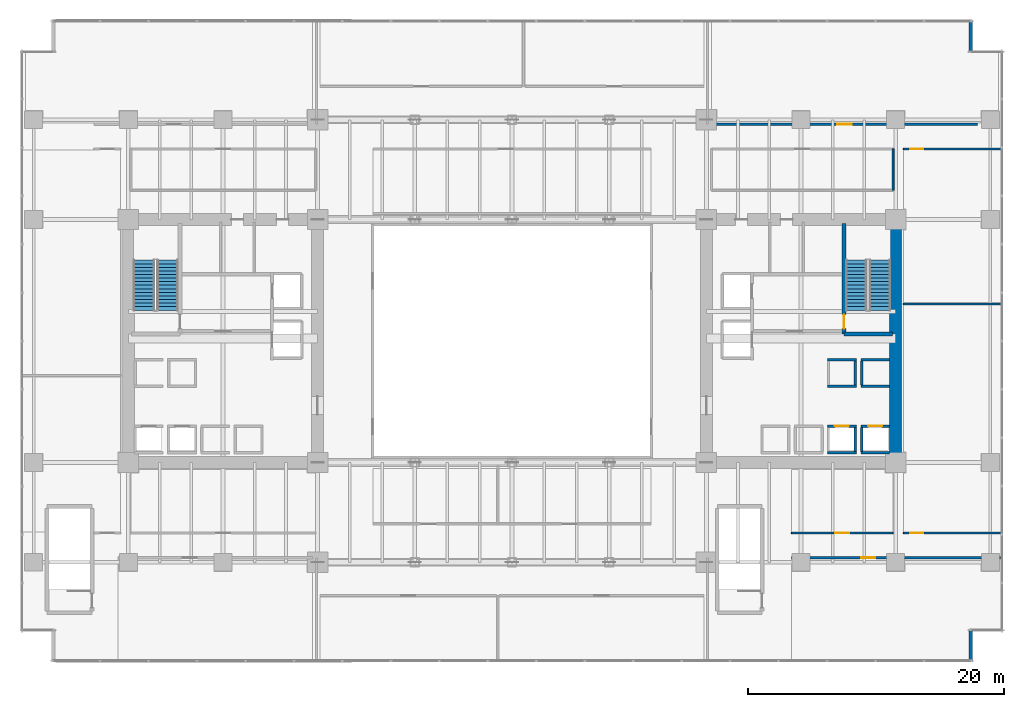
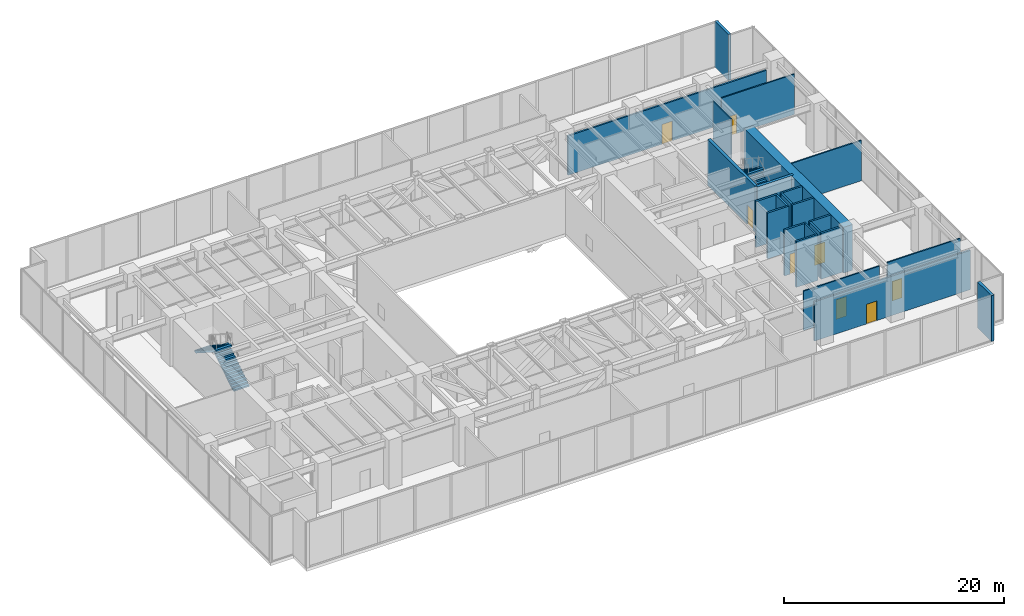
# One storey, part 31 of 35: 24 walls, 8 doors, 4 stair flights, 8 openings, 2 elements without a shape of their own.
"""IFC4 building model written with IfcOpenShell, lengths in metres."""

import ifcopenshell
import ifcopenshell.guid

model = None  # the IFC model being written
_history = None  # IfcOwnerHistory: only IFC2X3 demands one
_inside = {}  # id of a spatial element -> (the spatial element, [elements in it])
_under = {}  # id of a project, library or spatial element -> (it, [spatial elements below it])
_declared = {}  # id of a project -> (the project, [libraries it declares])
_typed = {}  # id of a type object -> (the type object, [elements of that type])
_made_of = {}  # id of a material, layer set ... -> (it, [elements and type objects made of it])


def new_model(schema):
    """Start an empty IFC model of exactly this schema.

    Asked for "IFC4X3", IfcOpenShell would pick the latest addendum, in which some entities
    have other attributes; the version numbers below select the first issue.
    IFC2X3 requires an IfcOwnerHistory on every rooted entity: one is made here for all.
    """
    global model, _history
    if schema == "IFC4X3":
        model = ifcopenshell.file(schema_version=(4, 3, 0, 0))
    else:
        model = ifcopenshell.file(schema=schema)
    _inside.clear()
    _under.clear()
    _declared.clear()
    _typed.clear()
    _made_of.clear()
    _history = None
    if model.schema == "IFC2X3":
        org = make("IfcOrganization", Name="unknown")
        user = make(
            "IfcPersonAndOrganization",
            ThePerson=make("IfcPerson", FamilyName="unknown"),
            TheOrganization=org,
        )
        app = make(
            "IfcApplication",
            ApplicationDeveloper=org,
            Version="unknown",
            ApplicationFullName="unknown",
            ApplicationIdentifier="unknown",
        )
        _history = make(
            "IfcOwnerHistory",
            OwningUser=user,
            OwningApplication=app,
            ChangeAction="ADDED",
            CreationDate=0,
        )
    return model


def make(cls, **values):
    """One entity of the class cls with the attributes given. An attribute that is None is left unset."""
    return model.create_entity(
        cls, **{name: value for name, value in values.items() if value is not None}
    )


def rooted(cls, **values):
    """An entity with a GlobalId (a new one), such as an element, a storey or a relation."""
    return make(cls, GlobalId=ifcopenshell.guid.new(), OwnerHistory=_history, **values)


def si_unit(unit_type, name, prefix=None):
    """IfcSIUnit, for example si_unit("LENGTHUNIT", "METRE", prefix="MILLI")."""
    return make("IfcSIUnit", UnitType=unit_type, Prefix=prefix, Name=name)


def assignment(units):
    """IfcUnitAssignment: the units of a project."""
    return None if units is None else make("IfcUnitAssignment", Units=units)


def point(xyz):
    """IfcCartesianPoint."""
    return None if xyz is None else make("IfcCartesianPoint", Coordinates=xyz)


def direction(xyz):
    """IfcDirection."""
    return None if xyz is None else make("IfcDirection", DirectionRatios=xyz)


def frame(location, z_axis=None, x_axis=None):
    """IfcAxis2Placement3D, a coordinate frame: its origin and axes. An axis left out is left unset."""
    return make(
        "IfcAxis2Placement3D",
        Location=point(location),
        Axis=direction(z_axis),
        RefDirection=direction(x_axis),
    )


def frame_2d(location, x_axis=None):
    """IfcAxis2Placement2D, a coordinate frame in the plane: its origin and x axis."""
    return make(
        "IfcAxis2Placement2D", Location=point(location), RefDirection=direction(x_axis)
    )


def origin():
    """The frame at (0, 0, 0) with its axes left unset."""
    return frame((0.0, 0.0, 0.0))


def place(relative_to, where):
    """IfcLocalPlacement: puts the frame where relative to a parent placement (None: the world)."""
    return make(
        "IfcLocalPlacement", PlacementRelTo=relative_to, RelativePlacement=where
    )


def context(
    kind, dimensions, precision=None, world=None, true_north=None, identifier=None
):
    """IfcGeometricRepresentationContext, for example the 3D "Model" context."""
    return make(
        "IfcGeometricRepresentationContext",
        ContextIdentifier=identifier,
        ContextType=kind,
        CoordinateSpaceDimension=dimensions,
        Precision=precision,
        WorldCoordinateSystem=world,
        TrueNorth=true_north,
    )


def subcontext(parent, identifier, kind, view, scale=None):
    """IfcGeometricRepresentationSubContext, for example "Body" below "Model"."""
    return make(
        "IfcGeometricRepresentationSubContext",
        ContextIdentifier=identifier,
        ContextType=kind,
        ParentContext=parent,
        TargetScale=scale,
        TargetView=view,
    )


def project(units=None, contexts=None):
    """IfcProject with its units and contexts."""
    return rooted(
        "IfcProject",
        Name="project",
        RepresentationContexts=contexts,
        UnitsInContext=assignment(units),
    )


def spatial(cls, under=None, at=None, **own):
    """A site, building, storey or space (cls), placed at a placement, below another one or the project."""
    s = rooted(cls, ObjectPlacement=at, **own)
    if under is not None:
        _under.setdefault(under.id(), (under, []))[1].append(s)
    return s


def polyline(points):
    """IfcPolyline through the points."""
    return make("IfcPolyline", Points=[point(p) for p in points])


def profile(cls, at=None, kind="AREA", **sizes):
    """A parametric profile (cls). Its sizes go by their IFC names, for example OverallWidth=200.0."""
    return make(cls, ProfileType=kind, Position=at, **sizes)


def rectangle(**sizes):
    """IfcRectangleProfileDef."""
    return profile("IfcRectangleProfileDef", **sizes)


def outline(outer, holes=None, kind="AREA"):
    """IfcArbitraryClosedProfileDef: a profile drawn as a closed curve; with holes, ...WithVoids."""
    if holes is None:
        return make("IfcArbitraryClosedProfileDef", ProfileType=kind, OuterCurve=outer)
    return make(
        "IfcArbitraryProfileDefWithVoids",
        ProfileType=kind,
        OuterCurve=outer,
        InnerCurves=holes,
    )


def extrude(swept, where, along, depth):
    """IfcExtrudedAreaSolid: the profile swept, set in the frame where, extruded along a direction by depth."""
    return make(
        "IfcExtrudedAreaSolid",
        SweptArea=swept,
        Position=where,
        ExtrudedDirection=direction(along),
        Depth=depth,
    )


def shape(context_of_items, identifier, shape_type, items):
    """IfcShapeRepresentation: the items that make up one representation, for example the "Body"."""
    return make(
        "IfcShapeRepresentation",
        ContextOfItems=context_of_items,
        RepresentationIdentifier=identifier,
        RepresentationType=shape_type,
        Items=items,
    )


def source(mapping_origin, context_of_items, identifier, shape_type, items):
    """IfcRepresentationMap: a shape defined once, which mapped items show again and again."""
    return make(
        "IfcRepresentationMap",
        MappingOrigin=mapping_origin,
        MappedRepresentation=shape(context_of_items, identifier, shape_type, items),
    )


def transform(
    local_origin,
    x_axis=None,
    y_axis=None,
    z_axis=None,
    scale=None,
    scale2=None,
    scale3=None,
    uniform=True,
):
    """IfcCartesianTransformationOperator3D, or its non-uniform kind. x_axis, y_axis, z_axis: its Axis1, 2, 3."""
    if uniform:
        return make(
            "IfcCartesianTransformationOperator3D",
            Axis1=direction(x_axis),
            Axis2=direction(y_axis),
            LocalOrigin=point(local_origin),
            Scale=scale,
            Axis3=direction(z_axis),
        )
    return make(
        "IfcCartesianTransformationOperator3DnonUniform",
        Axis1=direction(x_axis),
        Axis2=direction(y_axis),
        LocalOrigin=point(local_origin),
        Scale=scale,
        Axis3=direction(z_axis),
        Scale2=scale2,
        Scale3=scale3,
    )


def mapped(mapping_source, mapping_target):
    """IfcMappedItem: shows the shape of a source again, moved by a transform."""
    return make(
        "IfcMappedItem", MappingSource=mapping_source, MappingTarget=mapping_target
    )


def material(Name=None, Category=None):
    """IfcMaterial."""
    return make("IfcMaterial", Name=Name, Category=Category)


def layer(
    of_material, thickness, ventilated=None, Name=None, Category=None, Priority=None
):
    """IfcMaterialLayer: one layer of a wall or slab, of a material (None: an air gap)."""
    return make(
        "IfcMaterialLayer",
        Material=of_material,
        LayerThickness=thickness,
        IsVentilated=ventilated,
        Name=Name,
        Category=Category,
        Priority=Priority,
    )


def layer_set(layers, Name=None):
    """IfcMaterialLayerSet."""
    return make("IfcMaterialLayerSet", MaterialLayers=layers, LayerSetName=Name)


def made_of(thing, what):
    """Note that an element or type object is made of a material, layer set ...; save() writes the relation."""
    if what is not None:
        _made_of.setdefault(what.id(), (what, []))[1].append(thing)
    return thing


def type_object(cls, material=None, **own):
    """A type object (cls), such as IfcWallType, which elements share."""
    return made_of(rooted(cls, **own), material)


def type_shapes(of_type, sources):
    """Give a type object the sources (RepresentationMaps) that its elements show as mapped items."""
    of_type.RepresentationMaps = sources


def element(
    cls,
    number,
    at=None,
    inside=None,
    cuts=None,
    type_object=None,
    material=None,
    context=None,
    identifier="Body",
    shape_type=None,
    held_by="IfcProductDefinitionShape",
    body=None,
    shapes=None,
    **own,
):
    """One element of the class cls, such as IfcWall. Its Tag is "e" and its number.

    at: its placement. inside: the storey or other place that contains it. cuts: it is an
    opening in that element (IfcRelVoidsElement). A single representation is given by context,
    identifier, shape_type and body (its items); several are given by shapes. held_by: the class
    of the entity that holds the representations. save() writes the other relations.
    """
    e = rooted(cls, Tag="e%d" % number, ObjectPlacement=at, **own)
    if body is not None:
        shapes = [shape(context, identifier, shape_type, body)]
    if shapes is not None:
        e.Representation = make(held_by, Representations=shapes)
    if inside is not None:
        _inside.setdefault(inside.id(), (inside, []))[1].append(e)
    if cuts is not None:
        rooted(
            "IfcRelVoidsElement", RelatingBuildingElement=cuts, RelatedOpeningElement=e
        )
    if type_object is not None:
        _typed.setdefault(type_object.id(), (type_object, []))[1].append(e)
    return made_of(e, material)


def fill(opening, filler):
    """IfcRelFillsElement: the door or window that sits in an opening."""
    return rooted(
        "IfcRelFillsElement",
        RelatingOpeningElement=opening,
        RelatedBuildingElement=filler,
    )


def aggregate(whole, parts):
    """IfcRelAggregates: a whole, such as a stair, and the parts it consists of."""
    return rooted("IfcRelAggregates", RelatingObject=whole, RelatedObjects=parts)


def save(model, path):
    """Write the relations noted so far, then the file.

    IfcRelAggregates (storeys below a building ...), IfcRelContainedInSpatialStructure (elements
    in a storey), IfcRelDefinesByType, IfcRelAssociatesMaterial and IfcRelDeclares: one each for
    every whole, place, type object, material and project.
    """
    for whole, parts in _under.values():
        aggregate(whole, parts)
    for where, things in _inside.values():
        rooted(
            "IfcRelContainedInSpatialStructure",
            RelatedElements=things,
            RelatingStructure=where,
        )
    for kind, things in _typed.values():
        rooted("IfcRelDefinesByType", RelatedObjects=things, RelatingType=kind)
    for what, things in _made_of.values():
        rooted("IfcRelAssociatesMaterial", RelatedObjects=things, RelatingMaterial=what)
    for by, libraries in _declared.values():
        rooted("IfcRelDeclares", RelatingContext=by, RelatedDefinitions=libraries)
    model.write(path)


model = new_model("IFC4")

# Units and contexts
model_context = context("Model", 3, precision=1e-05, world=origin(), true_north=direction((0.0, 1.0)))
body_context = subcontext(model_context, "Body", "Model", "MODEL_VIEW")
ifc_project = project(units=[si_unit("LENGTHUNIT", "METRE"), si_unit("AREAUNIT", "SQUARE_METRE"), si_unit("VOLUMEUNIT", "CUBIC_METRE"), si_unit("PLANEANGLEUNIT", "RADIAN"), si_unit("MASSUNIT", "GRAM", prefix="KILO")], contexts=[model_context])

# Site, building, storey
site_placement = place(None, origin())
site = spatial("IfcSite", under=ifc_project, at=site_placement, CompositionType="ELEMENT")
building_placement = place(site_placement, origin())
building = spatial("IfcBuilding", under=site, at=building_placement, Name="Haelvirn Gate Laboratories", CompositionType="ELEMENT")
storey_placement = place(building_placement, frame((0.0, 0.0, 19.800048828125)))
storey = spatial("IfcBuildingStorey", under=building, at=storey_placement, Name="L05", CompositionType="ELEMENT", Elevation=19.800048828125)

# Walls
ifc_material_1 = material(Name="Thermally-broken bronze aluminium rainscreen & mineral wool", Category="aluminium")
ifc_layer_1 = layer(ifc_material_1, 0.280029296875, Name="EW-TERR-280")
ifc_layer_set_1 = layer_set([ifc_layer_1], Name="Thermally-broken bronze aluminium rainscreen & mineral wool")
wall_type_1 = type_object("IfcWallType", Name="EW-TERR-280", PredefinedType="STANDARD", material=ifc_layer_set_1)
wall_1_placement = place(storey_placement, frame((73.260009765625, -0.800048828125, 0.0), z_axis=(0.0, 0.0, 1.0), x_axis=(0.0, 1.0, 0.0)))
element("IfcWall", 1, at=wall_1_placement, inside=storey, type_object=wall_type_1, Name="L05 Atrium Recess Bronze Return Wall 01", PredefinedType="STANDARD", context=body_context, shape_type="SweptSolid", body=[
    extrude(rectangle(XDim=2.488037109375, YDim=0.280029296875, at=frame_2d((1.244140625, 0.0))), origin(), (0.0, 0.0, 1.0), 5.079833984375),
])
wall_2_placement = place(storey_placement, frame((73.260009765625, 46.912109375, 0.0), z_axis=(0.0, 0.0, 1.0), x_axis=(0.0, 1.0, 0.0)))
element("IfcWall", 2, at=wall_2_placement, inside=storey, type_object=wall_type_1, Name="L05 Atrium Recess Bronze Return Wall 05", PredefinedType="STANDARD", context=body_context, shape_type="SweptSolid", body=[
    extrude(rectangle(XDim=2.48779296875, YDim=0.280029296875, at=frame_2d((1.243896484375, 0.0))), origin(), (0.0, 0.0, 1.0), 5.079833984375),
])
ifc_material_2 = material(Name="Acoustic mineral-wool gypsum board partition", Category="gypsum")
ifc_layer_2 = layer(ifc_material_2, 0.139892578125, Name="IW-PART-140")
ifc_layer_set_2 = layer_set([ifc_layer_2], Name="Acoustic mineral-wool gypsum board partition")
wall_type_2 = type_object("IfcWallType", Name="IW-PART-140", PredefinedType="PARTITIONING", material=ifc_layer_set_2)
wall_3_placement = place(storey_placement, frame((67.199951171875, 36.080078125, 0.0), z_axis=(0.0, 0.0, 1.0), x_axis=(0.0, 1.0, 0.0)))
element("IfcWall", 3, at=wall_3_placement, inside=storey, type_object=wall_type_2, Name="L05 Interior Wall IW-L05-INC-NE-E", PredefinedType="PARTITIONING", context=body_context, shape_type="SweptSolid", body=[
    extrude(rectangle(XDim=3.239990234375, YDim=0.139892578125, at=frame_2d((1.6201171875, 0.0))), origin(), (0.0, 0.0, 1.0), 4.364990234375),
])

# Wall, opening, door
wall_4_placement = place(storey_placement, frame((59.25, 9.280029296875, 0.0), z_axis=(0.0, 0.0, 1.0), x_axis=(1.0, 0.0, 0.0)))
wall_4 = element("IfcWall", 4, at=wall_4_placement, inside=storey, type_object=wall_type_2, Name="L05 Interior Wall IW-L05-INC-E", PredefinedType="PARTITIONING", context=body_context, shape_type="SweptSolid", body=[
    extrude(rectangle(XDim=7.949951171875, YDim=0.139892578125, at=frame_2d((3.97509765625, 0.0))), origin(), (0.0, 0.0, 1.0), 4.364990234375),
])
opening_1_placement = place(wall_4_placement, frame((3.425048828125, 0.0, 0.0)))
opening_1 = element("IfcOpeningElement", 5, at=opening_1_placement, cuts=wall_4, Name="Opening D1", PredefinedType="OPENING", context=body_context, shape_type="SweptSolid", body=[
    extrude(rectangle(XDim=1.10009765625, YDim=2.179931640625, at=frame_2d((0.550048828125, 1.08984375))), frame((0.0, 0.080078125, 0.0), z_axis=(0.0, -1.0, 0.0), x_axis=(1.0, 0.0, 0.0)), (0.0, 0.0, 1.0), 0.159912109375),
])
ifc_material_3 = material(Name="Vision-panel acoustic solid-core timber lab door", Category="wood")
door_type_1 = type_object("IfcDoorType", Name="DR-LAB-1100", OperationType="NOTDEFINED", PredefinedType="DOOR", material=ifc_material_3)
shared_shape_1 = source(origin(), body_context, "Body", "SweptSolid", [
    extrude(rectangle(XDim=1.10009765625, YDim=2.179931640625, at=frame_2d((0.550048828125, 1.08984375))), frame((0.0, 0.02490234375, 0.0), z_axis=(0.0, -1.0, 0.0), x_axis=(1.0, 0.0, 0.0)), (0.0, 0.0, 1.0), 0.050048828125),
])
type_shapes(door_type_1, [shared_shape_1])
door_1_placement = place(opening_1_placement, origin())
door_1 = element("IfcDoor", 6, at=door_1_placement, inside=storey, type_object=door_type_1, Name="L05 Cryo-EM Structural Biology Suite Door", OperationType="SINGLE_SWING_LEFT", OverallHeight=2.179931640625, OverallWidth=1.10009765625, PredefinedType="DOOR", context=body_context, shape_type="MappedRepresentation", body=[
    mapped(shared_shape_1, transform((0.0, 0.0, 0.0), scale=1.0)),
])
fill(opening_1, door_1)

# Wall
wall_5_placement = place(storey_placement, frame((68.0, 27.199951171875, 0.0), z_axis=(0.0, 0.0, 1.0), x_axis=(1.0, 0.0, 0.0)))
element("IfcWall", 7, at=wall_5_placement, inside=storey, type_object=wall_type_2, Name="L05 Interior Wall IW-L05-WINGMID-E", PredefinedType="PARTITIONING", context=body_context, shape_type="SweptSolid", body=[
    extrude(rectangle(XDim=7.64990234375, YDim=0.139892578125, at=frame_2d((3.824951171875, 0.0))), origin(), (0.0, 0.0, 1.0), 4.46484375),
])

# Wall, opening, door
wall_6_placement = place(storey_placement, frame((68.0, 9.280029296875, 0.0), z_axis=(0.0, 0.0, 1.0), x_axis=(1.0, 0.0, 0.0)))
wall_6 = element("IfcWall", 8, at=wall_6_placement, inside=storey, type_object=wall_type_2, Name="L05 Interior Wall IW-L05-WINGW-E-S", PredefinedType="PARTITIONING", context=body_context, shape_type="SweptSolid", body=[
    extrude(rectangle(XDim=7.64990234375, YDim=0.139892578125, at=frame_2d((3.824951171875, 0.0))), origin(), (0.0, 0.0, 1.0), 4.46484375),
])
opening_2_placement = place(wall_6_placement, frame((0.550048828125, 0.0, 0.0)))
opening_2 = element("IfcOpeningElement", 9, at=opening_2_placement, cuts=wall_6, Name="Opening D2", PredefinedType="OPENING", context=body_context, shape_type="SweptSolid", body=[
    extrude(rectangle(XDim=1.0, YDim=2.14990234375, at=frame_2d((0.5, 1.074951171875))), frame((0.0, 0.080078125, 0.0), z_axis=(0.0, -1.0, 0.0), x_axis=(1.0, 0.0, 0.0)), (0.0, 0.0, 1.0), 0.159912109375),
])
ifc_material_4 = material(Name="Acoustic solid-core timber suite door", Category="wood")
door_type_2 = type_object("IfcDoorType", Name="DR-INT-1000", OperationType="NOTDEFINED", PredefinedType="DOOR", material=ifc_material_4)
shared_shape_2 = source(origin(), body_context, "Body", "SweptSolid", [
    extrude(rectangle(XDim=1.0, YDim=2.14990234375, at=frame_2d((0.5, 1.074951171875))), frame((0.0, 0.02490234375, 0.0), z_axis=(0.0, -1.0, 0.0), x_axis=(1.0, 0.0, 0.0)), (0.0, 0.0, 1.0), 0.050048828125),
])
type_shapes(door_type_2, [shared_shape_2])
door_2_placement = place(opening_2_placement, origin())
door_2 = element("IfcDoor", 10, at=door_2_placement, inside=storey, type_object=door_type_2, Name="L05 E Cleanroom Metrology Suite Door", OperationType="SINGLE_SWING_LEFT", OverallHeight=2.14990234375, OverallWidth=1.0, PredefinedType="DOOR", context=body_context, shape_type="MappedRepresentation", body=[
    mapped(shared_shape_2, transform((0.0, 0.0, 0.0), scale=1.0)),
])
fill(opening_2, door_2)

wall_7_placement = place(storey_placement, frame((68.0, 39.320068359375, 0.0), z_axis=(0.0, 0.0, 1.0), x_axis=(1.0, 0.0, 0.0)))
wall_7 = element("IfcWall", 11, at=wall_7_placement, inside=storey, type_object=wall_type_2, Name="L05 Interior Wall IW-L05-WINGW-E-N", PredefinedType="PARTITIONING", context=body_context, shape_type="SweptSolid", body=[
    extrude(rectangle(XDim=7.64990234375, YDim=0.139892578125, at=frame_2d((3.824951171875, 0.0))), origin(), (0.0, 0.0, 1.0), 4.46484375),
])
opening_3_placement = place(wall_7_placement, frame((0.550048828125, 0.0, 0.0)))
opening_3 = element("IfcOpeningElement", 12, at=opening_3_placement, cuts=wall_7, Name="Opening D2", PredefinedType="OPENING", context=body_context, shape_type="SweptSolid", body=[
    extrude(rectangle(XDim=1.0, YDim=2.14990234375, at=frame_2d((0.5, 1.074951171875))), frame((0.0, 0.080078125, 0.0), z_axis=(0.0, -1.0, 0.0), x_axis=(1.0, 0.0, 0.0)), (0.0, 0.0, 1.0), 0.159912109375),
])
door_3_placement = place(opening_3_placement, origin())
door_3 = element("IfcDoor", 13, at=door_3_placement, inside=storey, type_object=door_type_2, Name="L05 E Bioinformatics Dry-Lab Workspace Door", OperationType="SINGLE_SWING_RIGHT", OverallHeight=2.14990234375, OverallWidth=1.0, PredefinedType="DOOR", context=body_context, shape_type="MappedRepresentation", body=[
    mapped(shared_shape_2, transform((0.0, 0.0, 0.0), scale=1.0)),
])
fill(opening_3, door_3)

ifc_material_5 = material(Name="Moisture-resistant gypsum laboratory partition", Category="gypsum")
ifc_layer_3 = layer(ifc_material_5, 0.1650390625, Name="IW-PART-160")
ifc_layer_set_3 = layer_set([ifc_layer_3], Name="Moisture-resistant gypsum laboratory partition")
wall_type_3 = type_object("IfcWallType", Name="IW-PART-160", PredefinedType="PARTITIONING", material=ifc_layer_set_3)
wall_8_placement = place(storey_placement, frame((59.25, 7.35009765625, 0.0), z_axis=(0.0, 0.0, 1.0), x_axis=(1.0, 0.0, 0.0)))
wall_8 = element("IfcWall", 14, at=wall_8_placement, inside=storey, type_object=wall_type_3, Name="L05 Interior Wall IW-L05-SOW-4", PredefinedType="PARTITIONING", context=body_context, shape_type="SweptSolid", body=[
    extrude(rectangle(XDim=16.35009765625, YDim=0.1650390625, at=frame_2d((8.175048828125, 0.0))), origin(), (0.0, 0.0, 1.0), 4.364990234375),
])
opening_4_placement = place(wall_8_placement, frame((5.4423828125, 0.0, 0.0)))
opening_4 = element("IfcOpeningElement", 15, at=opening_4_placement, cuts=wall_8, Name="Opening D1", PredefinedType="OPENING", context=body_context, shape_type="SweptSolid", body=[
    extrude(rectangle(XDim=1.10009765625, YDim=2.179931640625, at=frame_2d((0.550048828125, 1.08984375))), frame((0.0, 0.092529296875, 0.0), z_axis=(0.0, -1.0, 0.0), x_axis=(1.0, 0.0, 0.0)), (0.0, 0.0, 1.0), 0.18505859375),
])
door_4_placement = place(opening_4_placement, origin())
door_4 = element("IfcDoor", 16, at=door_4_placement, inside=storey, type_object=door_type_1, Name="L05 Researcher Refectory & Commons Door", OperationType="SINGLE_SWING_LEFT", OverallHeight=2.179931640625, OverallWidth=1.10009765625, PredefinedType="DOOR", context=body_context, shape_type="MappedRepresentation", body=[
    mapped(shared_shape_1, transform((0.0, 0.0, 0.0), scale=1.0)),
])
fill(opening_4, door_4)

wall_9_placement = place(storey_placement, frame((53.0, 41.25, 0.0), z_axis=(0.0, 0.0, 1.0), x_axis=(1.0, 0.0, 0.0)))
wall_9 = element("IfcWall", 17, at=wall_9_placement, inside=storey, type_object=wall_type_3, Name="L05 Interior Wall IW-L05-NOW-4", PredefinedType="PARTITIONING", context=body_context, shape_type="SweptSolid", body=[
    extrude(rectangle(XDim=20.800048828125, YDim=0.1650390625, at=frame_2d((10.39990234375, 0.0))), origin(), (0.0, 0.0, 1.0), 4.364990234375),
])
opening_5_placement = place(wall_9_placement, frame((9.85009765625, 0.0, 0.0)))
opening_5 = element("IfcOpeningElement", 18, at=opening_5_placement, cuts=wall_9, Name="Opening D1", PredefinedType="OPENING", context=body_context, shape_type="SweptSolid", body=[
    extrude(rectangle(XDim=1.10009765625, YDim=2.179931640625, at=frame_2d((0.550048828125, 1.08984375))), frame((0.0, 0.092529296875, 0.0), z_axis=(0.0, -1.0, 0.0), x_axis=(1.0, 0.0, 0.0)), (0.0, 0.0, 1.0), 0.18505859375),
])
door_5_placement = place(opening_5_placement, origin())
door_5 = element("IfcDoor", 19, at=door_5_placement, inside=storey, type_object=door_type_1, Name="L05 Controlled Cold Storage Room North Door", OperationType="SINGLE_SWING_RIGHT", OverallHeight=2.179931640625, OverallWidth=1.10009765625, PredefinedType="DOOR", context=body_context, shape_type="MappedRepresentation", body=[
    mapped(shared_shape_1, transform((0.0, 0.0, 0.0), scale=1.0)),
])
fill(opening_5, door_5)

# Walls
ifc_material_6 = material(Name="Concrete C40/50", Category="concrete")
ifc_layer_4 = layer(ifc_material_6, 0.179931640625, Name="IW-SHAFT-180")
ifc_layer_set_4 = layer_set([ifc_layer_4], Name="Concrete C40/50")
wall_type_4 = type_object("IfcWallType", Name="IW-SHAFT-180", PredefinedType="SOLIDWALL", material=ifc_layer_set_4)
for number, where, z_axis, x_axis, name in (
    (20, (64.75, 15.64990234375, 0.0), (0.0, 0.0, 1.0), (0.0, 1.0, 0.0), "L05 Interior Wall IW-L05-PL3-SD"),
    (21, (64.25, 15.64990234375, 0.0), (0.0, 0.0, 1.0), (0.0, 1.0, 0.0), "L05 Interior Wall IW-L05-PL4-SDE"),
):
    element("IfcWall", number, at=place(storey_placement, frame(where, z_axis=z_axis, x_axis=x_axis)), inside=storey, type_object=wall_type_4, Name=name, PredefinedType="SOLIDWALL", context=body_context, shape_type="SweptSolid", body=[
        extrude(rectangle(XDim=1.900146484375, YDim=0.179931640625, at=frame_2d((0.9501953125, 0.0))), origin(), (0.0, 0.0, 1.0), 5.079833984375),
    ])
for number, where, z_axis, x_axis, name in (
    (22, (64.75, 20.85009765625, 0.0), (0.0, 0.0, 1.0), (0.0, 1.0, 0.0), "L05 Interior Wall IW-L05-PL11-SD"),
    (23, (64.25, 20.85009765625, 0.0), (0.0, 0.0, 1.0), (0.0, 1.0, 0.0), "L05 Interior Wall IW-L05-PL12-SDE"),
):
    element("IfcWall", number, at=place(storey_placement, frame(where, z_axis=z_axis, x_axis=x_axis)), inside=storey, type_object=wall_type_4, Name=name, PredefinedType="SOLIDWALL", context=body_context, shape_type="SweptSolid", body=[
        extrude(rectangle(XDim=1.89990234375, YDim=0.179931640625, at=frame_2d((0.949951171875, 0.0))), origin(), (0.0, 0.0, 1.0), 5.079833984375),
    ])

# Wall, opening, door
ifc_layer_5 = layer(ifc_material_6, 0.199951171875, Name="IW-SHAFT-200")
ifc_layer_set_5 = layer_set([ifc_layer_5], Name="Concrete C40/50")
wall_type_5 = type_object("IfcWallType", Name="IW-SHAFT-200", PredefinedType="SOLIDWALL", material=ifc_layer_set_5)
wall_10_placement = place(storey_placement, frame((64.669921875, 17.64990234375, 0.0), z_axis=(0.0, 0.0, 1.0), x_axis=(1.0, 0.0, 0.0)))
wall_10 = element("IfcWall", 24, at=wall_10_placement, inside=storey, type_object=wall_type_5, Name="L05 Interior Wall IW-L05-PL3-FR", PredefinedType="SOLIDWALL", context=body_context, shape_type="SweptSolid", body=[
    extrude(rectangle(XDim=2.260009765625, YDim=0.199951171875, at=frame_2d((1.1298828125, 0.0))), origin(), (0.0, 0.0, 1.0), 5.079833984375),
])
opening_6_placement = place(wall_10_placement, frame((0.580078125, 0.0, 0.0)))
opening_6 = element("IfcOpeningElement", 25, at=opening_6_placement, cuts=wall_10, Name="Opening LD2", PredefinedType="OPENING", context=body_context, shape_type="SweptSolid", body=[
    extrude(rectangle(XDim=1.10009765625, YDim=2.219970703125, at=frame_2d((0.550048828125, 1.10986328125))), frame((0.0, 0.10986328125, 0.0), z_axis=(0.0, -1.0, 0.0), x_axis=(1.0, 0.0, 0.0)), (0.0, 0.0, 1.0), 0.219970703125),
])
ifc_material_7 = material(Name="Bronze stainless 316L sliding lift landing door")
door_type_3 = type_object("IfcDoorType", Name="DR-LD-1100", OperationType="NOTDEFINED", PredefinedType="USERDEFINED", material=ifc_material_7)
shared_shape_3 = source(origin(), body_context, "Body", "SweptSolid", [
    extrude(rectangle(XDim=1.10009765625, YDim=2.219970703125, at=frame_2d((0.550048828125, 1.10986328125))), frame((0.0, 0.02490234375, 0.0), z_axis=(0.0, -1.0, 0.0), x_axis=(1.0, 0.0, 0.0)), (0.0, 0.0, 1.0), 0.050048828125),
])
type_shapes(door_type_3, [shared_shape_3])
door_6_placement = place(opening_6_placement, origin())
door_6 = element("IfcDoor", 26, at=door_6_placement, inside=storey, type_object=door_type_3, Name="L05 Passenger Lift PL3 Landing Door", ObjectType="LANDING_DOOR", OperationType="SLIDING_TO_LEFT", OverallHeight=2.219970703125, OverallWidth=1.10009765625, PredefinedType="USERDEFINED", context=body_context, shape_type="MappedRepresentation", body=[
    mapped(shared_shape_3, transform((0.0, 0.0, 0.0), scale=1.0)),
])
fill(opening_6, door_6)

# Wall
wall_11_placement = place(storey_placement, frame((64.669921875, 15.550048828125, 0.0), z_axis=(0.0, 0.0, 1.0), x_axis=(1.0, 0.0, 0.0)))
element("IfcWall", 27, at=wall_11_placement, inside=storey, type_object=wall_type_5, Name="L05 Interior Wall IW-L05-PL3-BK", PredefinedType="SOLIDWALL", context=body_context, shape_type="SweptSolid", body=[
    extrude(rectangle(XDim=2.260009765625, YDim=0.199951171875, at=frame_2d((1.1298828125, 0.0))), origin(), (0.0, 0.0, 1.0), 5.079833984375),
])

# Wall, opening, door
wall_12_placement = place(storey_placement, frame((62.070068359375, 17.64990234375, 0.0), z_axis=(0.0, 0.0, 1.0), x_axis=(1.0, 0.0, 0.0)))
wall_12 = element("IfcWall", 28, at=wall_12_placement, inside=storey, type_object=wall_type_5, Name="L05 Interior Wall IW-L05-PL4-FR", PredefinedType="SOLIDWALL", context=body_context, shape_type="SweptSolid", body=[
    extrude(rectangle(XDim=2.260009765625, YDim=0.199951171875, at=frame_2d((1.1298828125, 0.0))), origin(), (0.0, 0.0, 1.0), 5.079833984375),
])
opening_7_placement = place(wall_12_placement, frame((0.580078125, 0.0, 0.0)))
opening_7 = element("IfcOpeningElement", 29, at=opening_7_placement, cuts=wall_12, Name="Opening LD2", PredefinedType="OPENING", context=body_context, shape_type="SweptSolid", body=[
    extrude(rectangle(XDim=1.10009765625, YDim=2.219970703125, at=frame_2d((0.550048828125, 1.10986328125))), frame((0.0, 0.10986328125, 0.0), z_axis=(0.0, -1.0, 0.0), x_axis=(1.0, 0.0, 0.0)), (0.0, 0.0, 1.0), 0.219970703125),
])
door_7_placement = place(opening_7_placement, origin())
door_7 = element("IfcDoor", 30, at=door_7_placement, inside=storey, type_object=door_type_3, Name="L05 Passenger Lift PL4 Landing Door", ObjectType="LANDING_DOOR", OperationType="SLIDING_TO_RIGHT", OverallHeight=2.219970703125, OverallWidth=1.10009765625, PredefinedType="USERDEFINED", context=body_context, shape_type="MappedRepresentation", body=[
    mapped(shared_shape_3, transform((0.0, 0.0, 0.0), scale=1.0)),
])
fill(opening_7, door_7)

# Walls
for number, where, z_axis, x_axis, name in (
    (31, (62.070068359375, 15.550048828125, 0.0), (0.0, 0.0, 1.0), (1.0, 0.0, 0.0), "L05 Interior Wall IW-L05-PL4-BK"),
    (32, (64.669921875, 20.75, 0.0), (0.0, 0.0, 1.0), (1.0, 0.0, 0.0), "L05 Interior Wall IW-L05-PL11-FR"),
    (33, (64.669921875, 22.85009765625, 0.0), (0.0, 0.0, 1.0), (1.0, 0.0, 0.0), "L05 Interior Wall IW-L05-PL11-BK"),
    (34, (62.070068359375, 20.75, 0.0), (0.0, 0.0, 1.0), (1.0, 0.0, 0.0), "L05 Interior Wall IW-L05-PL12-FR"),
    (35, (62.070068359375, 22.85009765625, 0.0), (0.0, 0.0, 1.0), (1.0, 0.0, 0.0), "L05 Interior Wall IW-L05-PL12-BK"),
):
    element("IfcWall", number, at=place(storey_placement, frame(where, z_axis=z_axis, x_axis=x_axis)), inside=storey, type_object=wall_type_5, Name=name, PredefinedType="SOLIDWALL", context=body_context, shape_type="SweptSolid", body=[
        extrude(rectangle(XDim=2.260009765625, YDim=0.199951171875, at=frame_2d((1.1298828125, 0.0))), origin(), (0.0, 0.0, 1.0), 5.079833984375),
    ])
ifc_material_8 = material(Name="Concrete C70/85", Category="concrete")
ifc_layer_6 = layer(ifc_material_8, 0.949951171875, Name="SW-CORE-950")
ifc_layer_set_6 = layer_set([ifc_layer_6], Name="Concrete C70/85")
wall_type_6 = type_object("IfcWallType", Name="SW-CORE-950", PredefinedType="SHEAR", material=ifc_layer_set_6)
wall_13_placement = place(storey_placement, frame((67.39990234375, 15.27490234375, 0.0), z_axis=(0.0, 0.0, 1.0), x_axis=(0.0, 1.0, 0.0)))
element("IfcWall", 36, at=wall_13_placement, inside=storey, type_object=wall_type_6, Name="L05 E Core Shear Wall E", PredefinedType="SHEAR", context=body_context, shape_type="SweptSolid", body=[
    extrude(rectangle(XDim=18.050048828125, YDim=0.949951171875, at=frame_2d((9.02490234375, 0.0))), origin(), (0.0, 0.0, 1.0), 5.079833984375),
])

# Wall, opening, door
ifc_material_9 = material(Name="Concrete C50/60", Category="concrete")
ifc_layer_7 = layer(ifc_material_9, 0.300048828125, Name="SW-STAIR-300")
ifc_layer_set_7 = layer_set([ifc_layer_7], Name="Concrete C50/60")
wall_type_7 = type_object("IfcWallType", Name="SW-STAIR-300", PredefinedType="SHEAR", material=ifc_layer_set_7)
wall_14_placement = place(storey_placement, frame((63.35009765625, 24.85009765625, 0.0), z_axis=(0.0, 0.0, 1.0), x_axis=(0.0, 1.0, 0.0)))
wall_14 = element("IfcWall", 37, at=wall_14_placement, inside=storey, type_object=wall_type_7, Name="L05 E Core Stair Shaft Structural Wall IN", PredefinedType="SHEAR", context=body_context, shape_type="SweptSolid", body=[
    extrude(rectangle(XDim=8.6298828125, YDim=0.300048828125, at=frame_2d((4.31494140625, 0.0))), origin(), (0.0, 0.0, 1.0), 5.079833984375),
])
opening_8_placement = place(wall_14_placement, frame((0.419921875, 0.0, 0.0)))
opening_8 = element("IfcOpeningElement", 38, at=opening_8_placement, cuts=wall_14, Name="Opening FD3", PredefinedType="OPENING", context=body_context, shape_type="SweptSolid", body=[
    extrude(rectangle(XDim=1.10009765625, YDim=2.14990234375, at=frame_2d((0.550048828125, 1.074951171875))), frame((0.0, 0.16015625, 0.0), z_axis=(0.0, -1.0, 0.0), x_axis=(1.0, 0.0, 0.0)), (0.0, 0.0, 1.0), 0.320068359375),
])
ifc_material_10 = material(Name="Fire-rated steel SM355 escape stair door", Category="steel")
door_type_4 = type_object("IfcDoorType", Name="DR-FD-1100", OperationType="NOTDEFINED", PredefinedType="DOOR", material=ifc_material_10)
shared_shape_4 = source(origin(), body_context, "Body", "SweptSolid", [
    extrude(rectangle(XDim=1.10009765625, YDim=2.14990234375, at=frame_2d((0.550048828125, 1.074951171875))), frame((0.0, 0.02490234375, 0.0), z_axis=(0.0, -1.0, 0.0), x_axis=(1.0, 0.0, 0.0)), (0.0, 0.0, 1.0), 0.050048828125),
])
type_shapes(door_type_4, [shared_shape_4])
door_8_placement = place(opening_8_placement, origin())
door_8 = element("IfcDoor", 39, at=door_8_placement, inside=storey, type_object=door_type_4, Name="L05 Escape Stair ST2 Fire Door", OperationType="SINGLE_SWING_RIGHT", OverallHeight=2.14990234375, OverallWidth=1.10009765625, PredefinedType="DOOR", context=body_context, shape_type="MappedRepresentation", body=[
    mapped(shared_shape_4, transform((0.0, 0.0, 0.0), scale=1.0)),
])
fill(opening_8, door_8)

# Wall
wall_15_placement = place(storey_placement, frame((63.35009765625, 24.85009765625, 0.0), z_axis=(0.0, 0.0, 1.0), x_axis=(1.0, 0.0, 0.0)))
element("IfcWall", 40, at=wall_15_placement, inside=storey, type_object=wall_type_7, Name="L05 E Core Stair Shaft Structural Wall S", PredefinedType="SHEAR", context=body_context, shape_type="SweptSolid", body=[
    extrude(rectangle(XDim=3.7998046875, YDim=0.300048828125, at=frame_2d((1.89990234375, 0.0))), origin(), (0.0, 0.0, 1.0), 5.079833984375),
])

# Stair, stair flights
stair_type = type_object("IfcStairType", Name="ST-DOG-1650-R30", PredefinedType="HALF_TURN_STAIR", material=ifc_material_6)
stair_1_placement = place(storey_placement, origin())
stair_1 = element("IfcStair", 41, at=stair_1_placement, inside=storey, type_object=stair_type, Name="L05 Escape Stair ST1", PredefinedType="HALF_TURN_STAIR")
stair_flight_type = type_object("IfcStairFlightType", Name="STF-1650-R15", PredefinedType="STRAIGHT", material=ifc_material_6)
shared_shape_5 = source(origin(), body_context, "Body", "SweptSolid", [
    extrude(outline(polyline([(0.0, 0.0), (0.0, 0.179931640625), (0.280029296875, 0.179931640625), (0.280029296875, 0.360107421875), (0.56005859375, 0.360107421875), (0.56005859375, 0.5400390625), (0.840087890625, 0.5400390625), (0.840087890625, 0.719970703125), (1.1201171875, 0.719970703125), (1.1201171875, 0.89990234375), (1.39990234375, 0.89990234375), (1.39990234375, 1.080078125), (1.679931640625, 1.080078125), (1.679931640625, 1.260009765625), (1.9599609375, 1.260009765625), (1.9599609375, 1.43994140625), (2.239990234375, 1.43994140625), (2.239990234375, 1.6201171875), (2.52001953125, 1.6201171875), (2.52001953125, 1.800048828125), (2.800048828125, 1.800048828125), (2.800048828125, 1.97998046875), (3.080078125, 1.97998046875), (3.080078125, 2.159912109375), (3.360107421875, 2.159912109375), (3.360107421875, 2.340087890625), (3.639892578125, 2.340087890625), (3.639892578125, 2.52001953125), (3.919921875, 2.52001953125), (3.919921875, 2.699951171875), (3.919921875, 2.329833984375), (0.295654296875, 0.0), (0.0, 0.0)])), frame((0.0, 0.824951171875, 0.0), z_axis=(0.0, -1.0, 0.0), x_axis=(1.0, 0.0, 0.0)), (0.0, 0.0, 1.0), 1.64990234375),
])
type_shapes(stair_flight_type, [shared_shape_5])
stair_flight_1_placement = place(storey_placement, frame((10.47509765625, 26.699951171875, 0.0), z_axis=(0.0, 0.0, 1.0), x_axis=(0.0, 1.0, 0.0)))
stair_flight_1 = element("IfcStairFlight", 42, at=stair_flight_1_placement, type_object=stair_flight_type, Name="ST1 flight 1", NumberOfRisers=15, NumberOfTreads=14, PredefinedType="STRAIGHT", RiserHeight=0.18, TreadLength=0.28, context=body_context, shape_type="MappedRepresentation", body=[
    mapped(shared_shape_5, transform((0.0, 0.0, 0.0), scale=1.0)),
])
stair_flight_2_placement = place(storey_placement, frame((8.625, 30.6201171875, 2.699951171875), z_axis=(0.0, 0.0, 1.0), x_axis=(0.0, -1.0, 0.0)))
stair_flight_2 = element("IfcStairFlight", 43, at=stair_flight_2_placement, type_object=stair_flight_type, Name="ST1 flight 2", NumberOfRisers=15, NumberOfTreads=14, PredefinedType="STRAIGHT", RiserHeight=0.18, TreadLength=0.28, context=body_context, shape_type="MappedRepresentation", body=[
    mapped(shared_shape_5, transform((0.0, 0.0, 0.0), scale=1.0)),
])
aggregate(stair_1, [stair_flight_1, stair_flight_2])

stair_2_placement = place(storey_placement, origin())
stair_2 = element("IfcStair", 44, at=stair_2_placement, inside=storey, type_object=stair_type, Name="L05 Escape Stair ST2", PredefinedType="HALF_TURN_STAIR")
stair_flight_3_placement = place(storey_placement, frame((66.175048828125, 26.699951171875, 0.0), z_axis=(0.0, 0.0, 1.0), x_axis=(0.0, 1.0, 0.0)))
stair_flight_3 = element("IfcStairFlight", 45, at=stair_flight_3_placement, type_object=stair_flight_type, Name="ST2 flight 1", NumberOfRisers=15, NumberOfTreads=14, PredefinedType="STRAIGHT", RiserHeight=0.18, TreadLength=0.28, context=body_context, shape_type="MappedRepresentation", body=[
    mapped(shared_shape_5, transform((0.0, 0.0, 0.0), scale=1.0)),
])
stair_flight_4_placement = place(storey_placement, frame((64.324951171875, 30.6201171875, 2.699951171875), z_axis=(0.0, 0.0, 1.0), x_axis=(0.0, -1.0, 0.0)))
stair_flight_4 = element("IfcStairFlight", 46, at=stair_flight_4_placement, type_object=stair_flight_type, Name="ST2 flight 2", NumberOfRisers=15, NumberOfTreads=14, PredefinedType="STRAIGHT", RiserHeight=0.18, TreadLength=0.28, context=body_context, shape_type="MappedRepresentation", body=[
    mapped(shared_shape_5, transform((0.0, 0.0, 0.0), scale=1.0)),
])
aggregate(stair_2, [stair_flight_3, stair_flight_4])

save(model, "model.ifc")
